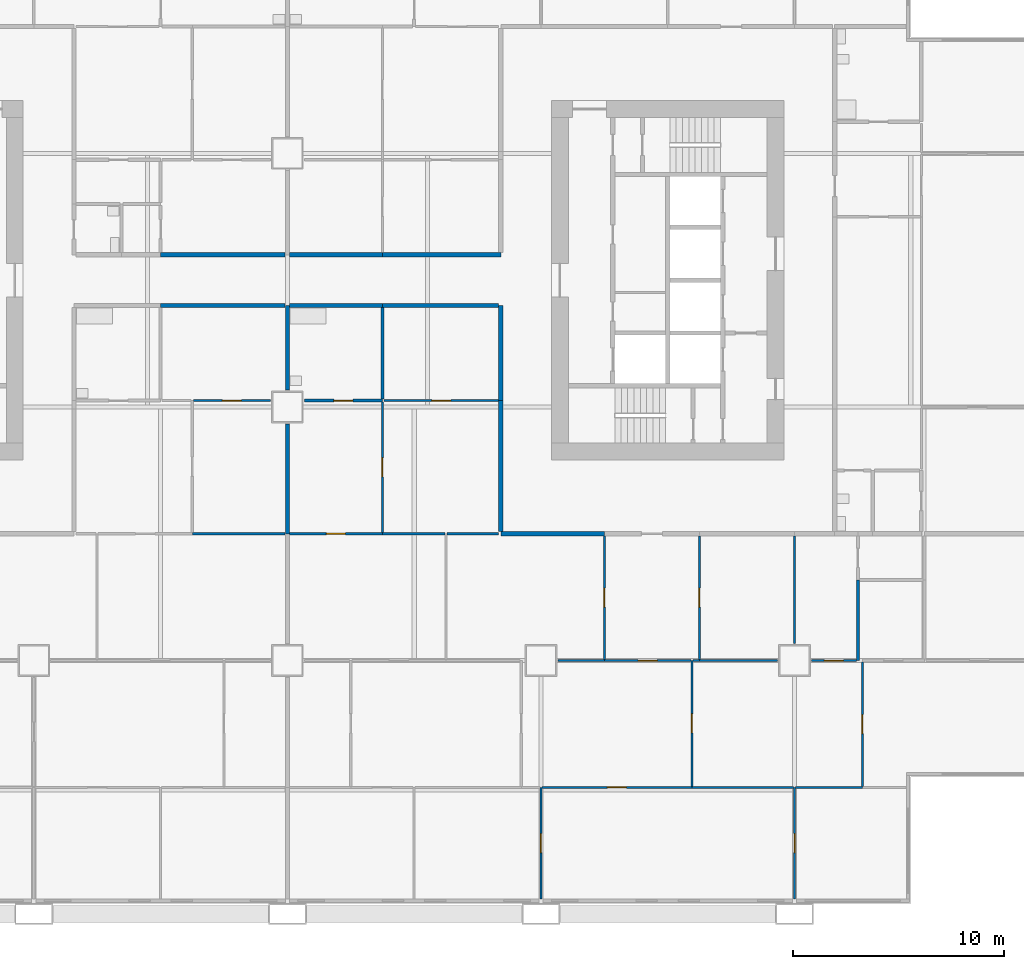
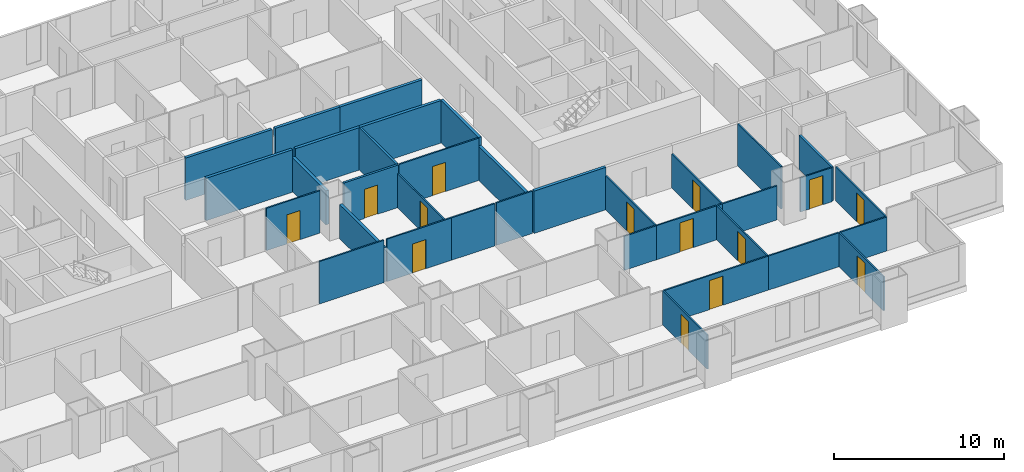
# One storey, part 6 of 14: 36 walls, 14 doors, 14 openings.
"""IFC4 building model written with IfcOpenShell, lengths in metres."""

from ifc_helpers import new_model, si_unit, direction, frame, frame_2d, origin, place, context, subcontext, project, spatial, rectangle, extrude, material, layer, layer_set, type_object, element, fill, save


model = new_model("IFC4")

# Units and contexts
model_context = context("Model", 3, precision=1e-05, world=origin(), true_north=direction((0.0, 1.0)))
body_context = subcontext(model_context, "Body", "Model", "MODEL_VIEW")
ifc_project = project(units=[si_unit("LENGTHUNIT", "METRE"), si_unit("AREAUNIT", "SQUARE_METRE"), si_unit("VOLUMEUNIT", "CUBIC_METRE"), si_unit("PLANEANGLEUNIT", "RADIAN"), si_unit("MASSUNIT", "GRAM", prefix="KILO")], contexts=[model_context])

# Site, building, storey
site_placement = place(None, origin())
site = spatial("IfcSite", under=ifc_project, at=site_placement, CompositionType="ELEMENT")
building_placement = place(site_placement, origin())
building = spatial("IfcBuilding", under=site, at=building_placement, Name="Kitamizu Gate Tower and Museum", CompositionType="ELEMENT")
storey_placement = place(building_placement, frame((0.0, 0.0, 33.449951171875)))
storey = spatial("IfcBuildingStorey", under=building, at=storey_placement, Name="L06", CompositionType="ELEMENT", Elevation=33.449951171875)

# Wall
ifc_material_1 = material(Name="Gypsum board on galvanised stud")
ifc_layer_1 = layer(ifc_material_1, 0.10009765625)
ifc_layer_set_1 = layer_set([ifc_layer_1], Name="Gypsum board on galvanised stud")
wall_type_1 = type_object("IfcWallType", Name="Partition 100 NOT RATED", PredefinedType="PARTITIONING", material=ifc_layer_set_1)
wall_1_placement = place(storey_placement, frame((35.89990234375, 18.0, 0.0), z_axis=(0.0, 0.0, 1.0), x_axis=(-1.0, 0.0, 0.0)))
element("IfcWall", 1, at=wall_1_placement, inside=storey, type_object=wall_type_1, Name="Partition L06-037", PredefinedType="PARTITIONING", context=body_context, shape_type="SweptSolid", body=[
    extrude(rectangle(XDim=4.39990234375, YDim=0.10009765625, at=frame_2d((2.199951171875, 0.0))), origin(), (0.0, 0.0, 1.0), 3.050048828125),
])

# Wall, opening, door
wall_2_placement = place(storey_placement, frame((35.199951171875, 24.300048828125, 0.0), z_axis=(0.0, 0.0, 1.0), x_axis=(-1.0, 0.0, 0.0)))
wall_2 = element("IfcWall", 2, at=wall_2_placement, inside=storey, type_object=wall_type_1, Name="Partition L06-044", PredefinedType="PARTITIONING", context=body_context, shape_type="SweptSolid", body=[
    extrude(rectangle(XDim=3.64990234375, YDim=0.10009765625, at=frame_2d((1.824951171875, 0.0))), origin(), (0.0, 0.0, 1.0), 3.050048828125),
])
opening_1_placement = place(wall_2_placement, frame((1.375, 0.0, 0.0)))
opening_1 = element("IfcOpeningElement", 3, at=opening_1_placement, cuts=wall_2, Name="Opening L06-018", PredefinedType="OPENING", context=body_context, shape_type="SweptSolid", body=[
    extrude(rectangle(XDim=0.89990234375, YDim=2.10009765625, at=frame_2d((0.449951171875, 1.050048828125))), frame((0.0, 0.06005859375, 0.0), z_axis=(0.0, -1.0, 0.0), x_axis=(1.0, 0.0, 0.0)), (0.0, 0.0, 1.0), 0.1201171875),
])
ifc_material_2 = material(Name="Timber door set", Category="wood")
door_type_1 = type_object("IfcDoorType", Name="Room door 900", OperationType="NOTDEFINED", PredefinedType="DOOR", material=ifc_material_2)
door_1_placement = place(opening_1_placement, frame((0.89990234375, 0.0, 0.0), x_axis=(-1.0, 0.0, 0.0)))
door_1 = element("IfcDoor", 4, at=door_1_placement, inside=storey, type_object=door_type_1, Name="Door L06-018", OperationType="SINGLE_SWING_LEFT", OverallHeight=2.10009765625, OverallWidth=0.89990234375, PredefinedType="DOOR", context=body_context, shape_type="SweptSolid", body=[
    extrude(rectangle(XDim=0.89990234375, YDim=2.10009765625, at=frame_2d((0.449951171875, 1.050048828125))), frame((0.0, 0.02490234375, 0.0), z_axis=(0.0, -1.0, 0.0), x_axis=(1.0, 0.0, 0.0)), (0.0, 0.0, 1.0), 0.050048828125),
])
fill(opening_1, door_1)

wall_3_placement = place(storey_placement, frame((48.0, 0.719970703125, 0.0), z_axis=(0.0, 0.0, 1.0), x_axis=(0.0, 1.0, 0.0)))
wall_3 = element("IfcWall", 5, at=wall_3_placement, inside=storey, type_object=wall_type_1, Name="Partition L06-076", PredefinedType="PARTITIONING", context=body_context, shape_type="SweptSolid", body=[
    extrude(rectangle(XDim=5.280029296875, YDim=0.10009765625, at=frame_2d((2.64013671875, 0.0))), origin(), (0.0, 0.0, 1.0), 2.449951171875),
])
opening_2_placement = place(wall_3_placement, frame((2.18994140625, 0.0, 0.0)))
opening_2 = element("IfcOpeningElement", 6, at=opening_2_placement, cuts=wall_3, Name="Opening L06-032", PredefinedType="OPENING", context=body_context, shape_type="SweptSolid", body=[
    extrude(rectangle(XDim=0.89990234375, YDim=2.10009765625, at=frame_2d((0.449951171875, 1.050048828125))), frame((0.0, 0.06005859375, 0.0), z_axis=(0.0, -1.0, 0.0), x_axis=(1.0, 0.0, 0.0)), (0.0, 0.0, 1.0), 0.1201171875),
])
door_2_placement = place(opening_2_placement, origin())
door_2 = element("IfcDoor", 7, at=door_2_placement, inside=storey, type_object=door_type_1, Name="Door L06-032", OperationType="SINGLE_SWING_LEFT", OverallHeight=2.10009765625, OverallWidth=0.89990234375, PredefinedType="DOOR", context=body_context, shape_type="SweptSolid", body=[
    extrude(rectangle(XDim=0.89990234375, YDim=2.10009765625, at=frame_2d((0.449951171875, 1.050048828125))), frame((0.0, 0.02490234375, 0.0), z_axis=(0.0, -1.0, 0.0), x_axis=(1.0, 0.0, 0.0)), (0.0, 0.0, 1.0), 0.050048828125),
])
fill(opening_2, door_2)

wall_4_placement = place(storey_placement, frame((60.0, 0.719970703125, 0.0), z_axis=(0.0, 0.0, 1.0), x_axis=(0.0, 1.0, 0.0)))
wall_4 = element("IfcWall", 8, at=wall_4_placement, inside=storey, type_object=wall_type_1, Name="Partition L06-079", PredefinedType="PARTITIONING", context=body_context, shape_type="SweptSolid", body=[
    extrude(rectangle(XDim=5.280029296875, YDim=0.10009765625, at=frame_2d((2.64013671875, 0.0))), origin(), (0.0, 0.0, 1.0), 2.449951171875),
])
opening_3_placement = place(wall_4_placement, frame((2.18994140625, 0.0, 0.0)))
opening_3 = element("IfcOpeningElement", 9, at=opening_3_placement, cuts=wall_4, Name="Opening L06-035", PredefinedType="OPENING", context=body_context, shape_type="SweptSolid", body=[
    extrude(rectangle(XDim=0.89990234375, YDim=2.10009765625, at=frame_2d((0.449951171875, 1.050048828125))), frame((0.0, 0.06005859375, 0.0), z_axis=(0.0, -1.0, 0.0), x_axis=(1.0, 0.0, 0.0)), (0.0, 0.0, 1.0), 0.1201171875),
])
door_3_placement = place(opening_3_placement, frame((0.89990234375, 0.0, 0.0), x_axis=(-1.0, 0.0, 0.0)))
door_3 = element("IfcDoor", 10, at=door_3_placement, inside=storey, type_object=door_type_1, Name="Door L06-035", OperationType="SINGLE_SWING_RIGHT", OverallHeight=2.10009765625, OverallWidth=0.89990234375, PredefinedType="DOOR", context=body_context, shape_type="SweptSolid", body=[
    extrude(rectangle(XDim=0.89990234375, YDim=2.10009765625, at=frame_2d((0.449951171875, 1.050048828125))), frame((0.0, 0.02490234375, 0.0), z_axis=(0.0, -1.0, 0.0), x_axis=(1.0, 0.0, 0.0)), (0.0, 0.0, 1.0), 0.050048828125),
])
fill(opening_3, door_3)

wall_5_placement = place(storey_placement, frame((55.139892578125, 6.0, 0.0), z_axis=(0.0, 0.0, 1.0), x_axis=(-1.0, 0.0, 0.0)))
wall_5 = element("IfcWall", 11, at=wall_5_placement, inside=storey, type_object=wall_type_1, Name="Partition L06-080", PredefinedType="PARTITIONING", context=body_context, shape_type="SweptSolid", body=[
    extrude(rectangle(XDim=7.08984375, YDim=0.10009765625, at=frame_2d((3.544921875, 0.0))), origin(), (0.0, 0.0, 1.0), 2.449951171875),
])
opening_4_placement = place(wall_5_placement, frame((3.094970703125, 0.0, 0.0)))
opening_4 = element("IfcOpeningElement", 12, at=opening_4_placement, cuts=wall_5, Name="Opening L06-029", PredefinedType="OPENING", context=body_context, shape_type="SweptSolid", body=[
    extrude(rectangle(XDim=0.89990234375, YDim=2.10009765625, at=frame_2d((0.449951171875, 1.050048828125))), frame((0.0, 0.06005859375, 0.0), z_axis=(0.0, -1.0, 0.0), x_axis=(1.0, 0.0, 0.0)), (0.0, 0.0, 1.0), 0.1201171875),
])
door_4_placement = place(opening_4_placement, frame((0.89990234375, 0.0, 0.0), x_axis=(-1.0, 0.0, 0.0)))
door_4 = element("IfcDoor", 13, at=door_4_placement, inside=storey, type_object=door_type_1, Name="Door L06-029", OperationType="SINGLE_SWING_LEFT", OverallHeight=2.10009765625, OverallWidth=0.89990234375, PredefinedType="DOOR", context=body_context, shape_type="SweptSolid", body=[
    extrude(rectangle(XDim=0.89990234375, YDim=2.10009765625, at=frame_2d((0.449951171875, 1.050048828125))), frame((0.0, 0.02490234375, 0.0), z_axis=(0.0, -1.0, 0.0), x_axis=(1.0, 0.0, 0.0)), (0.0, 0.0, 1.0), 0.050048828125),
])
fill(opening_4, door_4)

# Walls
wall_6_placement = place(storey_placement, frame((59.949951171875, 6.0, 0.0), z_axis=(0.0, 0.0, 1.0), x_axis=(-1.0, 0.0, 0.0)))
element("IfcWall", 14, at=wall_6_placement, inside=storey, type_object=wall_type_1, Name="Partition L06-081", PredefinedType="PARTITIONING", context=body_context, shape_type="SweptSolid", body=[
    extrude(rectangle(XDim=4.81005859375, YDim=0.10009765625, at=frame_2d((2.405029296875, 0.0))), origin(), (0.0, 0.0, 1.0), 2.449951171875),
])
wall_7_placement = place(storey_placement, frame((63.2099609375, 6.0, 0.0), z_axis=(0.0, 0.0, 1.0), x_axis=(-1.0, 0.0, 0.0)))
element("IfcWall", 15, at=wall_7_placement, inside=storey, type_object=wall_type_1, Name="Partition L06-082", PredefinedType="PARTITIONING", context=body_context, shape_type="SweptSolid", body=[
    extrude(rectangle(XDim=3.159912109375, YDim=0.10009765625, at=frame_2d((1.580078125, 0.0))), origin(), (0.0, 0.0, 1.0), 2.449951171875),
])

# Wall, opening, door
wall_8_placement = place(storey_placement, frame((55.139892578125, 6.050048828125, 0.0), z_axis=(0.0, 0.0, 1.0), x_axis=(0.0, 1.0, 0.0)))
wall_8 = element("IfcWall", 16, at=wall_8_placement, inside=storey, type_object=wall_type_1, Name="Partition L06-089", PredefinedType="PARTITIONING", context=body_context, shape_type="SweptSolid", body=[
    extrude(rectangle(XDim=5.949951171875, YDim=0.10009765625, at=frame_2d((2.97509765625, 0.0))), origin(), (0.0, 0.0, 1.0), 2.449951171875),
])
opening_5_placement = place(wall_8_placement, frame((2.52490234375, 0.0, 0.0)))
opening_5 = element("IfcOpeningElement", 17, at=opening_5_placement, cuts=wall_8, Name="Opening L06-031", PredefinedType="OPENING", context=body_context, shape_type="SweptSolid", body=[
    extrude(rectangle(XDim=0.89990234375, YDim=2.10009765625, at=frame_2d((0.449951171875, 1.050048828125))), frame((0.0, 0.06005859375, 0.0), z_axis=(0.0, -1.0, 0.0), x_axis=(1.0, 0.0, 0.0)), (0.0, 0.0, 1.0), 0.1201171875),
])
door_5_placement = place(opening_5_placement, origin())
door_5 = element("IfcDoor", 18, at=door_5_placement, inside=storey, type_object=door_type_1, Name="Door L06-031", OperationType="SINGLE_SWING_RIGHT", OverallHeight=2.10009765625, OverallWidth=0.89990234375, PredefinedType="DOOR", context=body_context, shape_type="SweptSolid", body=[
    extrude(rectangle(XDim=0.89990234375, YDim=2.10009765625, at=frame_2d((0.449951171875, 1.050048828125))), frame((0.0, 0.02490234375, 0.0), z_axis=(0.0, -1.0, 0.0), x_axis=(1.0, 0.0, 0.0)), (0.0, 0.0, 1.0), 0.050048828125),
])
fill(opening_5, door_5)

# Wall
wall_9_placement = place(storey_placement, frame((51.0, 12.0, 0.0), z_axis=(0.0, 0.0, 1.0), x_axis=(-1.0, 0.0, 0.0)))
element("IfcWall", 19, at=wall_9_placement, inside=storey, type_object=wall_type_1, Name="Partition L06-090", PredefinedType="PARTITIONING", context=body_context, shape_type="SweptSolid", body=[
    extrude(rectangle(XDim=2.199951171875, YDim=0.10009765625, at=frame_2d((1.10009765625, 0.0))), origin(), (0.0, 0.0, 1.0), 2.449951171875),
])

# Wall, opening, door
wall_10_placement = place(storey_placement, frame((55.090087890625, 12.0, 0.0), z_axis=(0.0, 0.0, 1.0), x_axis=(-1.0, 0.0, 0.0)))
wall_10 = element("IfcWall", 20, at=wall_10_placement, inside=storey, type_object=wall_type_1, Name="Partition L06-091", PredefinedType="PARTITIONING", context=body_context, shape_type="SweptSolid", body=[
    extrude(rectangle(XDim=4.090087890625, YDim=0.10009765625, at=frame_2d((2.044921875, 0.0))), origin(), (0.0, 0.0, 1.0), 2.449951171875),
])
opening_6_placement = place(wall_10_placement, frame((1.594970703125, 0.0, 0.0)))
opening_6 = element("IfcOpeningElement", 21, at=opening_6_placement, cuts=wall_10, Name="Opening L06-028", PredefinedType="OPENING", context=body_context, shape_type="SweptSolid", body=[
    extrude(rectangle(XDim=0.89990234375, YDim=2.10009765625, at=frame_2d((0.449951171875, 1.050048828125))), frame((0.0, 0.06005859375, 0.0), z_axis=(0.0, -1.0, 0.0), x_axis=(1.0, 0.0, 0.0)), (0.0, 0.0, 1.0), 0.1201171875),
])
door_6_placement = place(opening_6_placement, origin())
door_6 = element("IfcDoor", 22, at=door_6_placement, inside=storey, type_object=door_type_1, Name="Door L06-028", OperationType="SINGLE_SWING_LEFT", OverallHeight=2.10009765625, OverallWidth=0.89990234375, PredefinedType="DOOR", context=body_context, shape_type="SweptSolid", body=[
    extrude(rectangle(XDim=0.89990234375, YDim=2.10009765625, at=frame_2d((0.449951171875, 1.050048828125))), frame((0.0, 0.02490234375, 0.0), z_axis=(0.0, -1.0, 0.0), x_axis=(1.0, 0.0, 0.0)), (0.0, 0.0, 1.0), 0.050048828125),
])
fill(opening_6, door_6)

wall_11_placement = place(storey_placement, frame((63.2099609375, 6.050048828125, 0.0), z_axis=(0.0, 0.0, 1.0), x_axis=(0.0, 1.0, 0.0)))
wall_11 = element("IfcWall", 23, at=wall_11_placement, inside=storey, type_object=wall_type_1, Name="Partition L06-092", PredefinedType="PARTITIONING", context=body_context, shape_type="SweptSolid", body=[
    extrude(rectangle(XDim=5.875, YDim=0.10009765625, at=frame_2d((2.9375, 0.0))), origin(), (0.0, 0.0, 1.0), 2.449951171875),
])
opening_7_placement = place(wall_11_placement, frame((2.487548828125, 0.0, 0.0)))
opening_7 = element("IfcOpeningElement", 24, at=opening_7_placement, cuts=wall_11, Name="Opening L06-034", PredefinedType="OPENING", context=body_context, shape_type="SweptSolid", body=[
    extrude(rectangle(XDim=0.89990234375, YDim=2.10009765625, at=frame_2d((0.449951171875, 1.050048828125))), frame((0.0, 0.06005859375, 0.0), z_axis=(0.0, -1.0, 0.0), x_axis=(1.0, 0.0, 0.0)), (0.0, 0.0, 1.0), 0.1201171875),
])
door_7_placement = place(opening_7_placement, frame((0.89990234375, 0.0, 0.0), x_axis=(-1.0, 0.0, 0.0)))
door_7 = element("IfcDoor", 25, at=door_7_placement, inside=storey, type_object=door_type_1, Name="Door L06-034", OperationType="SINGLE_SWING_LEFT", OverallHeight=2.10009765625, OverallWidth=0.89990234375, PredefinedType="DOOR", context=body_context, shape_type="SweptSolid", body=[
    extrude(rectangle(XDim=0.89990234375, YDim=2.10009765625, at=frame_2d((0.449951171875, 1.050048828125))), frame((0.0, 0.02490234375, 0.0), z_axis=(0.0, -1.0, 0.0), x_axis=(1.0, 0.0, 0.0)), (0.0, 0.0, 1.0), 0.050048828125),
])
fill(opening_7, door_7)

# Walls
wall_12_placement = place(storey_placement, frame((55.5, 12.0, 0.0), z_axis=(0.0, 0.0, 1.0), x_axis=(-1.0, 0.0, 0.0)))
element("IfcWall", 26, at=wall_12_placement, inside=storey, type_object=wall_type_1, Name="Partition L06-093", PredefinedType="PARTITIONING", context=body_context, shape_type="SweptSolid", body=[
    extrude(rectangle(XDim=0.31005859375, YDim=0.10009765625, at=frame_2d((0.155029296875, 0.0))), origin(), (0.0, 0.0, 1.0), 2.449951171875),
])
wall_13_placement = place(storey_placement, frame((59.199951171875, 12.0, 0.0), z_axis=(0.0, 0.0, 1.0), x_axis=(-1.0, 0.0, 0.0)))
element("IfcWall", 27, at=wall_13_placement, inside=storey, type_object=wall_type_1, Name="Partition L06-094", PredefinedType="PARTITIONING", context=body_context, shape_type="SweptSolid", body=[
    extrude(rectangle(XDim=3.699951171875, YDim=0.10009765625, at=frame_2d((1.85009765625, 0.0))), origin(), (0.0, 0.0, 1.0), 2.449951171875),
])

# Wall, opening, door
wall_14_placement = place(storey_placement, frame((62.925048828125, 12.0, 0.0), z_axis=(0.0, 0.0, 1.0), x_axis=(-1.0, 0.0, 0.0)))
wall_14 = element("IfcWall", 28, at=wall_14_placement, inside=storey, type_object=wall_type_1, Name="Partition L06-095", PredefinedType="PARTITIONING", context=body_context, shape_type="SweptSolid", body=[
    extrude(rectangle(XDim=2.125, YDim=0.10009765625, at=frame_2d((1.0625, 0.0))), origin(), (0.0, 0.0, 1.0), 2.449951171875),
])
opening_8_placement = place(wall_14_placement, frame((0.612548828125, 0.0, 0.0)))
opening_8 = element("IfcOpeningElement", 29, at=opening_8_placement, cuts=wall_14, Name="Opening L06-040", PredefinedType="OPENING", context=body_context, shape_type="SweptSolid", body=[
    extrude(rectangle(XDim=0.89990234375, YDim=2.10009765625, at=frame_2d((0.449951171875, 1.050048828125))), frame((0.0, 0.06005859375, 0.0), z_axis=(0.0, -1.0, 0.0), x_axis=(1.0, 0.0, 0.0)), (0.0, 0.0, 1.0), 0.1201171875),
])
door_8_placement = place(opening_8_placement, frame((0.89990234375, 0.0, 0.0), x_axis=(-1.0, 0.0, 0.0)))
door_8 = element("IfcDoor", 30, at=door_8_placement, inside=storey, type_object=door_type_1, Name="Door L06-040", OperationType="SINGLE_SWING_LEFT", OverallHeight=2.10009765625, OverallWidth=0.89990234375, PredefinedType="DOOR", context=body_context, shape_type="SweptSolid", body=[
    extrude(rectangle(XDim=0.89990234375, YDim=2.10009765625, at=frame_2d((0.449951171875, 1.050048828125))), frame((0.0, 0.02490234375, 0.0), z_axis=(0.0, -1.0, 0.0), x_axis=(1.0, 0.0, 0.0)), (0.0, 0.0, 1.0), 0.050048828125),
])
fill(opening_8, door_8)

wall_15_placement = place(storey_placement, frame((40.5, 18.0, 0.0), z_axis=(0.0, 0.0, 1.0), x_axis=(-1.0, 0.0, 0.0)))
wall_15 = element("IfcWall", 31, at=wall_15_placement, inside=storey, type_object=wall_type_1, Name="Partition L06-099", PredefinedType="PARTITIONING", context=body_context, shape_type="SweptSolid", body=[
    extrude(rectangle(XDim=4.39990234375, YDim=0.10009765625, at=frame_2d((2.199951171875, 0.0))), origin(), (0.0, 0.0, 1.0), 3.050048828125),
])
opening_9_placement = place(wall_15_placement, frame((1.75, 0.0, 0.0)))
opening_9 = element("IfcOpeningElement", 32, at=opening_9_placement, cuts=wall_15, Name="Opening L06-044", PredefinedType="OPENING", context=body_context, shape_type="SweptSolid", body=[
    extrude(rectangle(XDim=0.89990234375, YDim=2.10009765625, at=frame_2d((0.449951171875, 1.050048828125))), frame((0.0, 0.06005859375, 0.0), z_axis=(0.0, -1.0, 0.0), x_axis=(1.0, 0.0, 0.0)), (0.0, 0.0, 1.0), 0.1201171875),
])
door_9_placement = place(opening_9_placement, frame((0.89990234375, 0.0, 0.0), x_axis=(-1.0, 0.0, 0.0)))
door_9 = element("IfcDoor", 33, at=door_9_placement, inside=storey, type_object=door_type_1, Name="Door L06-044", OperationType="SINGLE_SWING_LEFT", OverallHeight=2.10009765625, OverallWidth=0.89990234375, PredefinedType="DOOR", context=body_context, shape_type="SweptSolid", body=[
    extrude(rectangle(XDim=0.89990234375, YDim=2.10009765625, at=frame_2d((0.449951171875, 1.050048828125))), frame((0.0, 0.02490234375, 0.0), z_axis=(0.0, -1.0, 0.0), x_axis=(1.0, 0.0, 0.0)), (0.0, 0.0, 1.0), 0.050048828125),
])
fill(opening_9, door_9)

# Wall
wall_16_placement = place(storey_placement, frame((43.449951171875, 18.0, 0.0), z_axis=(0.0, 0.0, 1.0), x_axis=(-1.0, 0.0, 0.0)))
element("IfcWall", 34, at=wall_16_placement, inside=storey, type_object=wall_type_1, Name="Partition L06-100", PredefinedType="PARTITIONING", context=body_context, shape_type="SweptSolid", body=[
    extrude(rectangle(XDim=2.949951171875, YDim=0.10009765625, at=frame_2d((1.47509765625, 0.0))), origin(), (0.0, 0.0, 1.0), 3.050048828125),
])

# Wall, opening, door
wall_17_placement = place(storey_placement, frame((51.0, 12.050048828125, 0.0), z_axis=(0.0, 0.0, 1.0), x_axis=(0.0, 1.0, 0.0)))
wall_17 = element("IfcWall", 35, at=wall_17_placement, inside=storey, type_object=wall_type_1, Name="Partition L06-101", PredefinedType="PARTITIONING", context=body_context, shape_type="SweptSolid", body=[
    extrude(rectangle(XDim=5.849853515625, YDim=0.10009765625, at=frame_2d((2.9248046875, 0.0))), origin(), (0.0, 0.0, 1.0), 2.449951171875),
])
opening_10_placement = place(wall_17_placement, frame((2.47509765625, 0.0, 0.0)))
opening_10 = element("IfcOpeningElement", 36, at=opening_10_placement, cuts=wall_17, Name="Opening L06-038", PredefinedType="OPENING", context=body_context, shape_type="SweptSolid", body=[
    extrude(rectangle(XDim=0.89990234375, YDim=2.10009765625, at=frame_2d((0.449951171875, 1.050048828125))), frame((0.0, 0.06005859375, 0.0), z_axis=(0.0, -1.0, 0.0), x_axis=(1.0, 0.0, 0.0)), (0.0, 0.0, 1.0), 0.1201171875),
])
door_10_placement = place(opening_10_placement, origin())
door_10 = element("IfcDoor", 37, at=door_10_placement, inside=storey, type_object=door_type_1, Name="Door L06-038", OperationType="SINGLE_SWING_RIGHT", OverallHeight=2.10009765625, OverallWidth=0.89990234375, PredefinedType="DOOR", context=body_context, shape_type="SweptSolid", body=[
    extrude(rectangle(XDim=0.89990234375, YDim=2.10009765625, at=frame_2d((0.449951171875, 1.050048828125))), frame((0.0, 0.02490234375, 0.0), z_axis=(0.0, -1.0, 0.0), x_axis=(1.0, 0.0, 0.0)), (0.0, 0.0, 1.0), 0.050048828125),
])
fill(opening_10, door_10)

# Wall
wall_18_placement = place(storey_placement, frame((46.0, 18.0, 0.0), z_axis=(0.0, 0.0, 1.0), x_axis=(-1.0, 0.0, 0.0)))
element("IfcWall", 38, at=wall_18_placement, inside=storey, type_object=wall_type_1, Name="Partition L06-102", PredefinedType="PARTITIONING", context=body_context, shape_type="SweptSolid", body=[
    extrude(rectangle(XDim=2.449951171875, YDim=0.10009765625, at=frame_2d((1.22509765625, 0.0))), origin(), (0.0, 0.0, 1.0), 3.050048828125),
])

# Wall, opening, door
wall_19_placement = place(storey_placement, frame((55.5, 12.050048828125, 0.0), z_axis=(0.0, 0.0, 1.0), x_axis=(0.0, 1.0, 0.0)))
wall_19 = element("IfcWall", 39, at=wall_19_placement, inside=storey, type_object=wall_type_1, Name="Partition L06-104", PredefinedType="PARTITIONING", context=body_context, shape_type="SweptSolid", body=[
    extrude(rectangle(XDim=5.849853515625, YDim=0.10009765625, at=frame_2d((2.9248046875, 0.0))), origin(), (0.0, 0.0, 1.0), 2.449951171875),
])
opening_11_placement = place(wall_19_placement, frame((2.47509765625, 0.0, 0.0)))
opening_11 = element("IfcOpeningElement", 40, at=opening_11_placement, cuts=wall_19, Name="Opening L06-039", PredefinedType="OPENING", context=body_context, shape_type="SweptSolid", body=[
    extrude(rectangle(XDim=0.89990234375, YDim=2.10009765625, at=frame_2d((0.449951171875, 1.050048828125))), frame((0.0, 0.06005859375, 0.0), z_axis=(0.0, -1.0, 0.0), x_axis=(1.0, 0.0, 0.0)), (0.0, 0.0, 1.0), 0.1201171875),
])
door_11_placement = place(opening_11_placement, frame((0.89990234375, 0.0, 0.0), x_axis=(-1.0, 0.0, 0.0)))
door_11 = element("IfcDoor", 41, at=door_11_placement, inside=storey, type_object=door_type_1, Name="Door L06-039", OperationType="SINGLE_SWING_RIGHT", OverallHeight=2.10009765625, OverallWidth=0.89990234375, PredefinedType="DOOR", context=body_context, shape_type="SweptSolid", body=[
    extrude(rectangle(XDim=0.89990234375, YDim=2.10009765625, at=frame_2d((0.449951171875, 1.050048828125))), frame((0.0, 0.02490234375, 0.0), z_axis=(0.0, -1.0, 0.0), x_axis=(1.0, 0.0, 0.0)), (0.0, 0.0, 1.0), 0.050048828125),
])
fill(opening_11, door_11)

# Wall
wall_20_placement = place(storey_placement, frame((60.0, 12.800048828125, 0.0), z_axis=(0.0, 0.0, 1.0), x_axis=(0.0, 1.0, 0.0)))
element("IfcWall", 42, at=wall_20_placement, inside=storey, type_object=wall_type_1, Name="Partition L06-106", PredefinedType="PARTITIONING", context=body_context, shape_type="SweptSolid", body=[
    extrude(rectangle(XDim=5.099853515625, YDim=0.10009765625, at=frame_2d((2.5498046875, 0.0))), origin(), (0.0, 0.0, 1.0), 3.050048828125),
])

# Wall, opening, door
wall_21_placement = place(storey_placement, frame((40.5, 18.050048828125, 0.0), z_axis=(0.0, 0.0, 1.0), x_axis=(0.0, 1.0, 0.0)))
wall_21 = element("IfcWall", 43, at=wall_21_placement, inside=storey, type_object=wall_type_1, Name="Partition L06-118", PredefinedType="PARTITIONING", context=body_context, shape_type="SweptSolid", body=[
    extrude(rectangle(XDim=6.175048828125, YDim=0.10009765625, at=frame_2d((3.08740234375, 0.0))), origin(), (0.0, 0.0, 1.0), 2.449951171875),
])
opening_12_placement = place(wall_21_placement, frame((2.637451171875, 0.0, 0.0)))
opening_12 = element("IfcOpeningElement", 44, at=opening_12_placement, cuts=wall_21, Name="Opening L06-045", PredefinedType="OPENING", context=body_context, shape_type="SweptSolid", body=[
    extrude(rectangle(XDim=0.89990234375, YDim=2.10009765625, at=frame_2d((0.449951171875, 1.050048828125))), frame((0.0, 0.06005859375, 0.0), z_axis=(0.0, -1.0, 0.0), x_axis=(1.0, 0.0, 0.0)), (0.0, 0.0, 1.0), 0.1201171875),
])
door_12_placement = place(opening_12_placement, origin())
door_12 = element("IfcDoor", 45, at=door_12_placement, inside=storey, type_object=door_type_1, Name="Door L06-045", OperationType="SINGLE_SWING_LEFT", OverallHeight=2.10009765625, OverallWidth=0.89990234375, PredefinedType="DOOR", context=body_context, shape_type="SweptSolid", body=[
    extrude(rectangle(XDim=0.89990234375, YDim=2.10009765625, at=frame_2d((0.449951171875, 1.050048828125))), frame((0.0, 0.02490234375, 0.0), z_axis=(0.0, -1.0, 0.0), x_axis=(1.0, 0.0, 0.0)), (0.0, 0.0, 1.0), 0.050048828125),
])
fill(opening_12, door_12)

wall_22_placement = place(storey_placement, frame((46.0, 24.300048828125, 0.0), z_axis=(0.0, 0.0, 1.0), x_axis=(-1.0, 0.0, 0.0)))
wall_22 = element("IfcWall", 46, at=wall_22_placement, inside=storey, type_object=wall_type_1, Name="Partition L06-120", PredefinedType="PARTITIONING", context=body_context, shape_type="SweptSolid", body=[
    extrude(rectangle(XDim=5.425048828125, YDim=0.10009765625, at=frame_2d((2.71240234375, 0.0))), origin(), (0.0, 0.0, 1.0), 3.050048828125),
])
opening_13_placement = place(wall_22_placement, frame((2.262451171875, 0.0, 0.0)))
opening_13 = element("IfcOpeningElement", 47, at=opening_13_placement, cuts=wall_22, Name="Opening L06-047", PredefinedType="OPENING", context=body_context, shape_type="SweptSolid", body=[
    extrude(rectangle(XDim=0.89990234375, YDim=2.10009765625, at=frame_2d((0.449951171875, 1.050048828125))), frame((0.0, 0.06005859375, 0.0), z_axis=(0.0, -1.0, 0.0), x_axis=(1.0, 0.0, 0.0)), (0.0, 0.0, 1.0), 0.1201171875),
])
door_13_placement = place(opening_13_placement, origin())
door_13 = element("IfcDoor", 48, at=door_13_placement, inside=storey, type_object=door_type_1, Name="Door L06-047", OperationType="SINGLE_SWING_LEFT", OverallHeight=2.10009765625, OverallWidth=0.89990234375, PredefinedType="DOOR", context=body_context, shape_type="SweptSolid", body=[
    extrude(rectangle(XDim=0.89990234375, YDim=2.10009765625, at=frame_2d((0.449951171875, 1.050048828125))), frame((0.0, 0.02490234375, 0.0), z_axis=(0.0, -1.0, 0.0), x_axis=(1.0, 0.0, 0.0)), (0.0, 0.0, 1.0), 0.050048828125),
])
fill(opening_13, door_13)

# Wall
ifc_material_3 = material(Name="Gypsum board on galvanised stud")
ifc_layer_2 = layer(ifc_material_3, 0.14990234375)
ifc_layer_set_2 = layer_set([ifc_layer_2], Name="Gypsum board on galvanised stud")
wall_type_2 = type_object("IfcWallType", Name="Partition 150", PredefinedType="PARTITIONING", material=ifc_layer_set_2)
wall_23_placement = place(storey_placement, frame((63.0, 12.0, 0.0), z_axis=(0.0, 0.0, 1.0), x_axis=(0.0, 1.0, 0.0)))
element("IfcWall", 49, at=wall_23_placement, inside=storey, type_object=wall_type_2, Name="Partition L06-108", PredefinedType="PARTITIONING", context=body_context, shape_type="SweptSolid", body=[
    extrude(rectangle(XDim=3.81396484375, YDim=0.14990234375, at=frame_2d((1.906982421875, 0.0))), origin(), (0.0, 0.0, 1.0), 2.449951171875),
])

# Wall, opening, door
wall_24_placement = place(storey_placement, frame((40.5, 24.300048828125, 0.0), z_axis=(0.0, 0.0, 1.0), x_axis=(-1.0, 0.0, 0.0)))
wall_24 = element("IfcWall", 50, at=wall_24_placement, inside=storey, type_object=wall_type_2, Name="Partition L06-119", PredefinedType="PARTITIONING", context=body_context, shape_type="SweptSolid", body=[
    extrude(rectangle(XDim=3.699951171875, YDim=0.14990234375, at=frame_2d((1.85009765625, 0.0))), origin(), (0.0, 0.0, 1.0), 3.050048828125),
])
opening_14_placement = place(wall_24_placement, frame((1.39990234375, 0.0, 0.0)))
opening_14 = element("IfcOpeningElement", 51, at=opening_14_placement, cuts=wall_24, Name="Opening L06-046", PredefinedType="OPENING", context=body_context, shape_type="SweptSolid", body=[
    extrude(rectangle(XDim=0.89990234375, YDim=2.10009765625, at=frame_2d((0.449951171875, 1.050048828125))), frame((0.0, 0.0849609375, 0.0), z_axis=(0.0, -1.0, 0.0), x_axis=(1.0, 0.0, 0.0)), (0.0, 0.0, 1.0), 0.169921875),
])
ifc_material_4 = material(Name="Timber door set", Category="wood")
door_type_2 = type_object("IfcDoorType", Name="Bathroom door 900", OperationType="NOTDEFINED", PredefinedType="DOOR", material=ifc_material_4)
door_14_placement = place(opening_14_placement, frame((0.89990234375, 0.0, 0.0), x_axis=(-1.0, 0.0, 0.0)))
door_14 = element("IfcDoor", 52, at=door_14_placement, inside=storey, type_object=door_type_2, Name="Bathroom door L06-046", OperationType="SINGLE_SWING_LEFT", OverallHeight=2.10009765625, OverallWidth=0.89990234375, PredefinedType="DOOR", context=body_context, shape_type="SweptSolid", body=[
    extrude(rectangle(XDim=0.89990234375, YDim=2.10009765625, at=frame_2d((0.449951171875, 1.050048828125))), frame((0.0, 0.02490234375, 0.0), z_axis=(0.0, -1.0, 0.0), x_axis=(1.0, 0.0, 0.0)), (0.0, 0.0, 1.0), 0.050048828125),
])
fill(opening_14, door_14)

# Walls
wall_25_placement = place(storey_placement, frame((40.5, 24.375, 0.0), z_axis=(0.0, 0.0, 1.0), x_axis=(0.0, 1.0, 0.0)))
element("IfcWall", 53, at=wall_25_placement, inside=storey, type_object=wall_type_2, Name="Partition L06-122", PredefinedType="PARTITIONING", context=body_context, shape_type="SweptSolid", body=[
    extrude(rectangle(XDim=4.324951171875, YDim=0.14990234375, at=frame_2d((2.16259765625, 0.0))), origin(), (0.0, 0.0, 1.0), 3.050048828125),
])
ifc_material_5 = material(Name="Gypsum board on galvanised stud")
ifc_layer_3 = layer(ifc_material_5, 0.199951171875)
ifc_layer_set_3 = layer_set([ifc_layer_3], Name="Gypsum board on galvanised stud")
wall_type_3 = type_object("IfcWallType", Name="Partition 200", PredefinedType="PARTITIONING", material=ifc_layer_set_3)
wall_26_placement = place(storey_placement, frame((36.0, 18.0, 0.0), z_axis=(0.0, 0.0, 1.0), x_axis=(0.0, 1.0, 0.0)))
element("IfcWall", 54, at=wall_26_placement, inside=storey, type_object=wall_type_3, Name="Partition L06-045", PredefinedType="PARTITIONING", context=body_context, shape_type="SweptSolid", body=[
    extrude(rectangle(XDim=5.199951171875, YDim=0.199951171875, at=frame_2d((2.60009765625, 0.0))), origin(), (0.0, 0.0, 1.0), 2.449951171875),
])
wall_27_placement = place(storey_placement, frame((36.0, 24.800048828125, 0.0), z_axis=(0.0, 0.0, 1.0), x_axis=(0.0, 1.0, 0.0)))
element("IfcWall", 55, at=wall_27_placement, inside=storey, type_object=wall_type_3, Name="Partition L06-049", PredefinedType="PARTITIONING", context=body_context, shape_type="SweptSolid", body=[
    extrude(rectangle(XDim=4.0, YDim=0.199951171875, at=frame_2d((2.0, 0.0))), origin(), (0.0, 0.0, 1.0), 2.449951171875),
])
wall_28_placement = place(storey_placement, frame((35.89990234375, 28.800048828125, 0.0), z_axis=(0.0, 0.0, 1.0), x_axis=(-1.0, 0.0, 0.0)))
element("IfcWall", 56, at=wall_28_placement, inside=storey, type_object=wall_type_3, Name="Partition L06-050", PredefinedType="PARTITIONING", context=body_context, shape_type="SweptSolid", body=[
    extrude(rectangle(XDim=5.89990234375, YDim=0.199951171875, at=frame_2d((2.949951171875, 0.0))), origin(), (0.0, 0.0, 1.0), 3.050048828125),
])
wall_29_placement = place(storey_placement, frame((51.0, 18.0, 0.0), z_axis=(0.0, 0.0, 1.0), x_axis=(-1.0, 0.0, 0.0)))
element("IfcWall", 57, at=wall_29_placement, inside=storey, type_object=wall_type_3, Name="Partition L06-103", PredefinedType="PARTITIONING", context=body_context, shape_type="SweptSolid", body=[
    extrude(rectangle(XDim=4.89990234375, YDim=0.199951171875, at=frame_2d((2.449951171875, 0.0))), origin(), (0.0, 0.0, 1.0), 3.050048828125),
])
wall_30_placement = place(storey_placement, frame((46.10009765625, 18.10009765625, 0.0), z_axis=(0.0, 0.0, 1.0), x_axis=(0.0, 1.0, 0.0)))
element("IfcWall", 58, at=wall_30_placement, inside=storey, type_object=wall_type_3, Name="Partition L06-121", PredefinedType="PARTITIONING", context=body_context, shape_type="SweptSolid", body=[
    extrude(rectangle(XDim=6.199951171875, YDim=0.199951171875, at=frame_2d((3.10009765625, 0.0))), origin(), (0.0, 0.0, 1.0), 2.449951171875),
])
wall_31_placement = place(storey_placement, frame((40.5, 28.800048828125, 0.0), z_axis=(0.0, 0.0, 1.0), x_axis=(-1.0, 0.0, 0.0)))
element("IfcWall", 59, at=wall_31_placement, inside=storey, type_object=wall_type_3, Name="Partition L06-123", PredefinedType="PARTITIONING", context=body_context, shape_type="SweptSolid", body=[
    extrude(rectangle(XDim=4.39990234375, YDim=0.199951171875, at=frame_2d((2.199951171875, 0.0))), origin(), (0.0, 0.0, 1.0), 3.050048828125),
])
wall_32_placement = place(storey_placement, frame((46.10009765625, 24.300048828125, 0.0), z_axis=(0.0, 0.0, 1.0), x_axis=(0.0, 1.0, 0.0)))
element("IfcWall", 60, at=wall_32_placement, inside=storey, type_object=wall_type_3, Name="Partition L06-124", PredefinedType="PARTITIONING", context=body_context, shape_type="SweptSolid", body=[
    extrude(rectangle(XDim=4.5, YDim=0.199951171875, at=frame_2d((2.25, 0.0))), origin(), (0.0, 0.0, 1.0), 3.050048828125),
])
wall_33_placement = place(storey_placement, frame((46.0, 28.800048828125, 0.0), z_axis=(0.0, 0.0, 1.0), x_axis=(-1.0, 0.0, 0.0)))
element("IfcWall", 61, at=wall_33_placement, inside=storey, type_object=wall_type_3, Name="Partition L06-125", PredefinedType="PARTITIONING", context=body_context, shape_type="SweptSolid", body=[
    extrude(rectangle(XDim=5.5, YDim=0.199951171875, at=frame_2d((2.75, 0.0))), origin(), (0.0, 0.0, 1.0), 3.050048828125),
])
wall_34_placement = place(storey_placement, frame((30.0, 31.199951171875, 0.0), z_axis=(0.0, 0.0, 1.0), x_axis=(1.0, 0.0, 0.0)))
element("IfcWall", 62, at=wall_34_placement, inside=storey, type_object=wall_type_3, Name="Partition L06-178", PredefinedType="PARTITIONING", context=body_context, shape_type="SweptSolid", body=[
    extrude(rectangle(XDim=5.89990234375, YDim=0.199951171875, at=frame_2d((2.949951171875, 0.0))), origin(), (0.0, 0.0, 1.0), 3.050048828125),
])
wall_35_placement = place(storey_placement, frame((36.10009765625, 31.199951171875, 0.0), z_axis=(0.0, 0.0, 1.0), x_axis=(1.0, 0.0, 0.0)))
element("IfcWall", 63, at=wall_35_placement, inside=storey, type_object=wall_type_3, Name="Partition L06-199", PredefinedType="PARTITIONING", context=body_context, shape_type="SweptSolid", body=[
    extrude(rectangle(XDim=4.39990234375, YDim=0.199951171875, at=frame_2d((2.199951171875, 0.0))), origin(), (0.0, 0.0, 1.0), 3.050048828125),
])
wall_36_placement = place(storey_placement, frame((40.5, 31.199951171875, 0.0), z_axis=(0.0, 0.0, 1.0), x_axis=(1.0, 0.0, 0.0)))
element("IfcWall", 64, at=wall_36_placement, inside=storey, type_object=wall_type_3, Name="Partition L06-200", PredefinedType="PARTITIONING", context=body_context, shape_type="SweptSolid", body=[
    extrude(rectangle(XDim=5.60009765625, YDim=0.199951171875, at=frame_2d((2.800048828125, 0.0))), origin(), (0.0, 0.0, 1.0), 3.050048828125),
])

save(model, "model.ifc")
